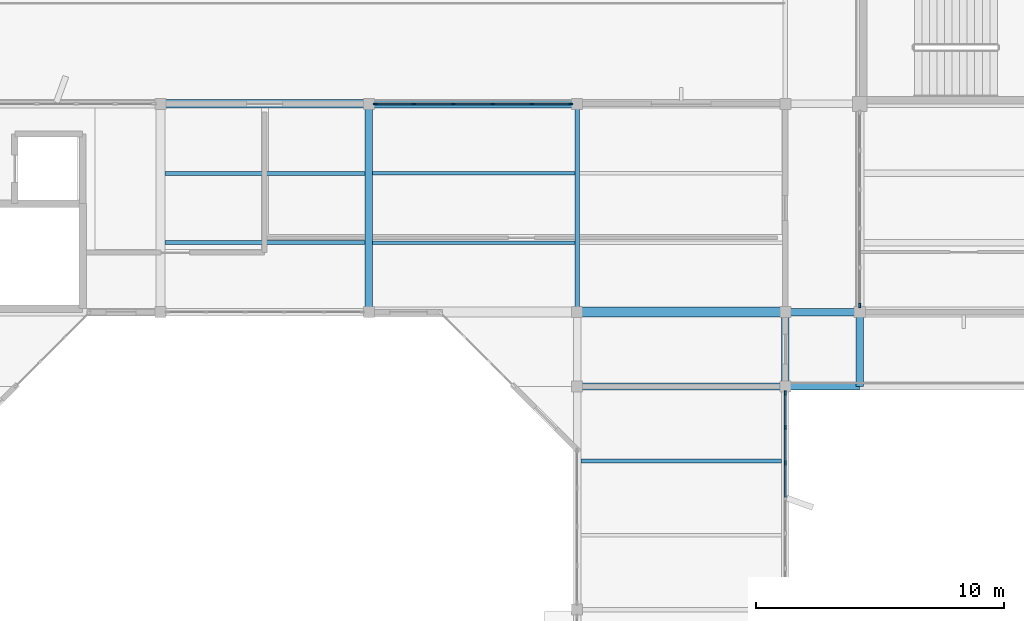
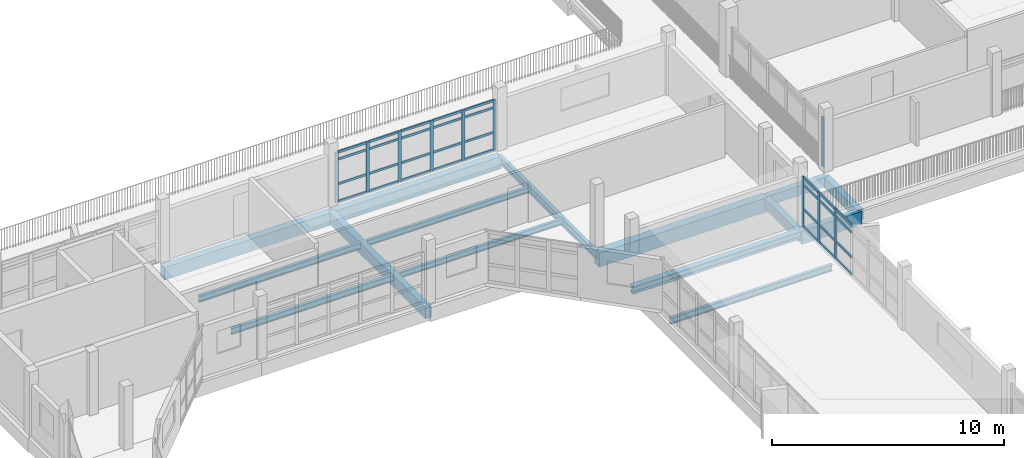
# One storey, part 9 of 33: 42 members, 15 beams, 3 elements without a shape of their own.
"""IFC4 building model written with IfcOpenShell, lengths in metres."""

from ifc_helpers import new_model, si_unit, direction, frame, origin, origin_2d, place, context, subcontext, project, spatial, rectangle, i_section, extrude, material, material_profile, profile_set, type_object, element, aggregate, save


model = new_model("IFC4")

# Units and contexts
model_context = context("Model", 3, precision=1e-05, world=origin(), true_north=direction((0.0, 1.0)))
body_context = subcontext(model_context, "Body", "Model", "MODEL_VIEW")
ifc_project = project(units=[si_unit("LENGTHUNIT", "METRE"), si_unit("AREAUNIT", "SQUARE_METRE"), si_unit("VOLUMEUNIT", "CUBIC_METRE"), si_unit("PLANEANGLEUNIT", "RADIAN"), si_unit("MASSUNIT", "GRAM", prefix="KILO")], contexts=[model_context])

# Site, building, storey
site_placement = place(None, origin())
site = spatial("IfcSite", under=ifc_project, at=site_placement, CompositionType="ELEMENT")
building_placement = place(site_placement, origin())
building = spatial("IfcBuilding", under=site, at=building_placement, Name="Vanh Quang Courtyard School", CompositionType="ELEMENT")
storey_placement = place(building_placement, frame((0.0, 0.0, 18.60009765625)))
storey = spatial("IfcBuildingStorey", under=building, at=storey_placement, Name="L05", CompositionType="ELEMENT", Elevation=18.60009765625)

# Beams
ifc_material_1 = material(Name="Concrete C35/45", Category="concrete")
ifc_material_profile_1 = material_profile(ifc_material_1, rectangle(XDim=0.300048828125, YDim=0.5, at=origin_2d()), Name="RC-BM 300x500")
ifc_profile_set_1 = profile_set([ifc_material_profile_1], Name="Concrete C35/45")
beam_type_1 = type_object("IfcBeamType", Name="BM-RC-300x500", PredefinedType="BEAM", material=ifc_profile_set_1)
beam_1_placement = place(storey_placement, frame((74.39990234375, 71.39990234375, -0.570068359375), z_axis=(1.0, 0.0, 0.0), x_axis=(0.0, 1.0, 0.0)))
element("IfcBeam", 1, at=beam_1_placement, inside=storey, type_object=beam_type_1, Name="Beam B-08 (L05)", PredefinedType="BEAM", context=body_context, shape_type="SweptSolid", body=[
    extrude(rectangle(XDim=0.300048828125, YDim=0.5, at=origin_2d()), origin(), (0.0, 0.0, 1.0), 3.0),
])
ifc_material_profile_2 = material_profile(ifc_material_1, rectangle(XDim=0.300048828125, YDim=0.550048828125, at=origin_2d()), Name="RC-BM 300x550")
ifc_profile_set_2 = profile_set([ifc_material_profile_2], Name="Concrete C35/45")
beam_type_2 = type_object("IfcBeamType", Name="BM-RC-300x550", PredefinedType="BEAM", material=ifc_profile_set_2)
for number, where, z_axis, x_axis, name in (
    (2, (74.39990234375, 68.39990234375, -0.59521484375), (0.0, 1.0, 0.0), (-1.0, 0.0, 0.0), "Beam B-07 (L05)"),
    (3, (77.39990234375, 68.39990234375, -0.59521484375), (0.0, 1.0, 0.0), (-1.0, 0.0, 0.0), "Beam B-07 (L05)"),
):
    element("IfcBeam", number, at=place(storey_placement, frame(where, z_axis=z_axis, x_axis=x_axis)), inside=storey, type_object=beam_type_2, Name=name, PredefinedType="BEAM", context=body_context, shape_type="SweptSolid", body=[
        extrude(rectangle(XDim=0.300048828125, YDim=0.550048828125, at=origin_2d()), origin(), (0.0, 0.0, 1.0), 3.0),
    ])
ifc_material_profile_3 = material_profile(ifc_material_1, rectangle(XDim=0.300048828125, YDim=0.60009765625, at=origin_2d()), Name="RC-BM 300x600")
ifc_profile_set_3 = profile_set([ifc_material_profile_3], Name="Concrete C35/45")
beam_type_3 = type_object("IfcBeamType", Name="BM-RC-300x600", PredefinedType="BEAM", material=ifc_profile_set_3)
beam_2_placement = place(storey_placement, frame((57.60009765625, 71.39990234375, -0.6201171875), z_axis=(0.0, 1.0, 0.0), x_axis=(-1.0, 0.0, 0.0)))
element("IfcBeam", 4, at=beam_2_placement, inside=storey, type_object=beam_type_3, Name="Beam B-06 (L05)", PredefinedType="BEAM", context=body_context, shape_type="SweptSolid", body=[
    extrude(rectangle(XDim=0.300048828125, YDim=0.60009765625, at=origin_2d()), origin(), (0.0, 0.0, 1.0), 8.400146484375),
])
ifc_material_profile_4 = material_profile(ifc_material_1, rectangle(XDim=0.35009765625, YDim=0.64990234375, at=origin_2d()), Name="RC-BM 350x650")
ifc_profile_set_4 = profile_set([ifc_material_profile_4], Name="Concrete C35/45")
beam_type_4 = type_object("IfcBeamType", Name="BM-RC-350x650", PredefinedType="BEAM", material=ifc_profile_set_4)
beam_3_placement = place(storey_placement, frame((49.199951171875, 79.800048828125, -0.64501953125), z_axis=(1.0, 0.0, 0.0), x_axis=(0.0, 1.0, 0.0)))
element("IfcBeam", 5, at=beam_3_placement, inside=storey, type_object=beam_type_4, Name="Beam B-05 (L05)", PredefinedType="BEAM", context=body_context, shape_type="SweptSolid", body=[
    extrude(rectangle(XDim=0.35009765625, YDim=0.64990234375, at=origin_2d()), origin(), (0.0, 0.0, 1.0), 8.400146484375),
])
beam_4_placement = place(storey_placement, frame((57.60009765625, 79.800048828125, -0.64501953125), z_axis=(1.0, 0.0, 0.0), x_axis=(0.0, 1.0, 0.0)))
element("IfcBeam", 6, at=beam_4_placement, inside=storey, type_object=beam_type_4, Name="Beam B-05 (L05)", PredefinedType="BEAM", context=body_context, shape_type="SweptSolid", body=[
    extrude(rectangle(XDim=0.35009765625, YDim=0.64990234375, at=origin_2d()), origin(), (0.0, 0.0, 1.0), 8.39990234375),
])
ifc_material_profile_5 = material_profile(ifc_material_1, rectangle(XDim=0.39990234375, YDim=0.75, at=origin_2d()), Name="RC-BM 400x750")
ifc_profile_set_5 = profile_set([ifc_material_profile_5], Name="Concrete C35/45")
beam_type_5 = type_object("IfcBeamType", Name="BM-RC-400x750", PredefinedType="BEAM", material=ifc_profile_set_5)
beam_5_placement = place(storey_placement, frame((66.0, 71.39990234375, -0.695068359375), z_axis=(1.0, 0.0, 0.0), x_axis=(0.0, 1.0, 0.0)))
element("IfcBeam", 7, at=beam_5_placement, inside=storey, type_object=beam_type_5, Name="Beam B-03 (L05)", PredefinedType="BEAM", context=body_context, shape_type="SweptSolid", body=[
    extrude(rectangle(XDim=0.39990234375, YDim=0.75, at=origin_2d()), origin(), (0.0, 0.0, 1.0), 8.39990234375),
])
ifc_material_profile_6 = material_profile(ifc_material_1, rectangle(XDim=0.300048828125, YDim=0.699951171875, at=origin_2d()), Name="RC-SP 300x700")
ifc_profile_set_6 = profile_set([ifc_material_profile_6], Name="Concrete C35/45")
beam_type_6 = type_object("IfcBeamType", Name="BM-SP-300x700", PredefinedType="SPANDREL", material=ifc_profile_set_6)
beam_6_placement = place(storey_placement, frame((74.39990234375, 68.39990234375, -0.670166015625), z_axis=(1.0, 0.0, 0.0), x_axis=(0.0, 1.0, 0.0)))
element("IfcBeam", 8, at=beam_6_placement, inside=storey, type_object=beam_type_6, Name="Beam BS-01 (L05)", PredefinedType="SPANDREL", context=body_context, shape_type="SweptSolid", body=[
    extrude(rectangle(XDim=0.300048828125, YDim=0.699951171875, at=origin_2d()), origin(), (0.0, 0.0, 1.0), 3.0),
])
ifc_material_2 = material(Name="Structural steel EN 10025-2 S355J2", Category="steel")
ifc_material_profile_7 = material_profile(ifc_material_2, i_section(OverallWidth=0.300048828125, OverallDepth=0.389892578125, WebThickness=0.010986328125, FlangeThickness=0.01904296875, FilletRadius=0.027099609375, at=origin_2d()), Name="HEA 400")
ifc_profile_set_7 = profile_set([ifc_material_profile_7], Name="Structural steel EN 10025-2 S355J2")
beam_type_7 = type_object("IfcBeamType", Name="BM-STL-HEA400", PredefinedType="BEAM", material=ifc_profile_set_7)
beam_7_placement = place(storey_placement, frame((66.0, 68.39990234375, -0.51513671875), z_axis=(1.0, 0.0, 0.0), x_axis=(0.0, 1.0, 0.0)))
element("IfcBeam", 9, at=beam_7_placement, inside=storey, type_object=beam_type_7, Name="Beam SB-08 (L05)", PredefinedType="BEAM", context=body_context, shape_type="SweptSolid", body=[
    extrude(i_section(OverallWidth=0.300048828125, OverallDepth=0.389892578125, WebThickness=0.010986328125, FlangeThickness=0.01904296875, FilletRadius=0.027099609375, at=origin_2d()), origin(), (0.0, 0.0, 1.0), 8.39990234375),
])
ifc_material_profile_8 = material_profile(ifc_material_2, i_section(OverallWidth=0.179931640625, OverallDepth=0.39990234375, WebThickness=0.008544921875, FlangeThickness=0.013427734375, FilletRadius=0.02099609375, at=origin_2d()), Name="IPE 400")
ifc_profile_set_8 = profile_set([ifc_material_profile_8], Name="Structural steel EN 10025-2 S355J2")
beam_type_8 = type_object("IfcBeamType", Name="BM-STL-IPE400", PredefinedType="BEAM", material=ifc_profile_set_8)
beam_8_placement = place(storey_placement, frame((66.0, 71.39990234375, -0.52001953125), z_axis=(0.0, 1.0, 0.0), x_axis=(-1.0, 0.0, 0.0)))
element("IfcBeam", 10, at=beam_8_placement, inside=storey, type_object=beam_type_8, Name="Beam SB-05 (L05)", PredefinedType="BEAM", context=body_context, shape_type="SweptSolid", body=[
    extrude(i_section(OverallWidth=0.179931640625, OverallDepth=0.39990234375, WebThickness=0.008544921875, FlangeThickness=0.013427734375, FilletRadius=0.02099609375, at=origin_2d()), origin(), (0.0, 0.0, 1.0), 8.400146484375),
])

# Curtain wall, members
ifc_material_3 = material(Name="Thermally broken aluminium unitised curtain wall", Category="aluminium")
curtain_wall_type_1 = type_object("IfcCurtainWallType", Name="CW-SYS-19", PredefinedType="NOTDEFINED", material=ifc_material_3)
curtain_wall_1_placement = place(storey_placement, origin())
curtain_wall_1 = element("IfcCurtainWall", 11, at=curtain_wall_1_placement, inside=storey, type_object=curtain_wall_type_1, Name="Curtain Wall CW-19 (L05)", PredefinedType="NOTDEFINED")
ifc_material_4 = material(Name="Anodised aluminium 6063-T6", Category="aluminium")
ifc_material_profile_9 = material_profile(ifc_material_4, rectangle(XDim=0.06005859375, YDim=0.159912109375, at=origin_2d()), Name="ALU-MUL 60x160")
ifc_profile_set_9 = profile_set([ifc_material_profile_9], Name="Anodised aluminium 6063-T6")
member_type_1 = type_object("IfcMemberType", Name="CW-MUL-60x160", PredefinedType="MULLION", material=ifc_profile_set_9)
member_1_placement = place(storey_placement, frame((57.863037109375, 79.800048828125, 0.0), z_axis=(0.0, 0.0, 1.0), x_axis=(0.0, 1.0, 0.0)))
member_1 = element("IfcMember", 12, at=member_1_placement, type_object=member_type_1, Name="CW-19 mullion 1", PredefinedType="MULLION", context=body_context, shape_type="SweptSolid", body=[
    extrude(rectangle(XDim=0.06005859375, YDim=0.159912109375, at=origin_2d()), origin(), (0.0, 0.0, 1.0), 2.64990234375),
])
member_2_placement = place(storey_placement, frame((59.419921875, 79.800048828125, 0.0), z_axis=(0.0, 0.0, 1.0), x_axis=(0.0, 1.0, 0.0)))
member_2 = element("IfcMember", 13, at=member_2_placement, type_object=member_type_1, Name="CW-19 mullion 2", PredefinedType="MULLION", context=body_context, shape_type="SweptSolid", body=[
    extrude(rectangle(XDim=0.06005859375, YDim=0.159912109375, at=origin_2d()), origin(), (0.0, 0.0, 1.0), 2.64990234375),
])
member_3_placement = place(storey_placement, frame((61.006591796875, 79.800048828125, 0.0), z_axis=(0.0, 0.0, 1.0), x_axis=(0.0, 1.0, 0.0)))
member_3 = element("IfcMember", 14, at=member_3_placement, type_object=member_type_1, Name="CW-19 mullion 3", PredefinedType="MULLION", context=body_context, shape_type="SweptSolid", body=[
    extrude(rectangle(XDim=0.06005859375, YDim=0.159912109375, at=origin_2d()), origin(), (0.0, 0.0, 1.0), 2.64990234375),
])
member_4_placement = place(storey_placement, frame((62.593505859375, 79.800048828125, 0.0), z_axis=(0.0, 0.0, 1.0), x_axis=(0.0, 1.0, 0.0)))
member_4 = element("IfcMember", 15, at=member_4_placement, type_object=member_type_1, Name="CW-19 mullion 4", PredefinedType="MULLION", context=body_context, shape_type="SweptSolid", body=[
    extrude(rectangle(XDim=0.06005859375, YDim=0.159912109375, at=origin_2d()), origin(), (0.0, 0.0, 1.0), 2.64990234375),
])
member_5_placement = place(storey_placement, frame((64.18017578125, 79.800048828125, 0.0), z_axis=(0.0, 0.0, 1.0), x_axis=(0.0, 1.0, 0.0)))
member_5 = element("IfcMember", 16, at=member_5_placement, type_object=member_type_1, Name="CW-19 mullion 5", PredefinedType="MULLION", context=body_context, shape_type="SweptSolid", body=[
    extrude(rectangle(XDim=0.06005859375, YDim=0.159912109375, at=origin_2d()), origin(), (0.0, 0.0, 1.0), 2.64990234375),
])
member_6_placement = place(storey_placement, frame((65.737060546875, 79.800048828125, 0.0), z_axis=(0.0, 0.0, 1.0), x_axis=(0.0, 1.0, 0.0)))
member_6 = element("IfcMember", 17, at=member_6_placement, type_object=member_type_1, Name="CW-19 mullion 6", PredefinedType="MULLION", context=body_context, shape_type="SweptSolid", body=[
    extrude(rectangle(XDim=0.06005859375, YDim=0.159912109375, at=origin_2d()), origin(), (0.0, 0.0, 1.0), 2.64990234375),
])

curtain_wall_type_2 = type_object("IfcCurtainWallType", Name="CW-SYS-50", PredefinedType="NOTDEFINED", material=ifc_material_3)
curtain_wall_2_placement = place(storey_placement, origin())
curtain_wall_2 = element("IfcCurtainWall", 18, at=curtain_wall_2_placement, inside=storey, type_object=curtain_wall_type_2, Name="Curtain Wall CW-50 (L05)", PredefinedType="NOTDEFINED")
ifc_material_profile_10 = material_profile(ifc_material_4, rectangle(XDim=0.070068359375, YDim=0.179931640625, at=origin_2d()), Name="ALU-MUL 70x180")
ifc_profile_set_10 = profile_set([ifc_material_profile_10], Name="Anodised aluminium 6063-T6")
member_type_2 = type_object("IfcMemberType", Name="CW-MUL-70x180", PredefinedType="MULLION", material=ifc_profile_set_10)
member_7_placement = place(storey_placement, frame((74.39990234375, 68.132080078125, 0.0), z_axis=(0.0, 0.0, 1.0), x_axis=(1.0, 0.0, 0.0)))
member_7 = element("IfcMember", 19, at=member_7_placement, type_object=member_type_2, Name="CW-50 mullion 1", PredefinedType="MULLION", context=body_context, shape_type="SweptSolid", body=[
    extrude(rectangle(XDim=0.070068359375, YDim=0.179931640625, at=origin_2d()), origin(), (0.0, 0.0, 1.0), 2.64990234375),
])
member_8_placement = place(storey_placement, frame((74.39990234375, 66.74462890625, 0.0), z_axis=(0.0, 0.0, 1.0), x_axis=(1.0, 0.0, 0.0)))
member_8 = element("IfcMember", 20, at=member_8_placement, type_object=member_type_2, Name="CW-50 mullion 2", PredefinedType="MULLION", context=body_context, shape_type="SweptSolid", body=[
    extrude(rectangle(XDim=0.070068359375, YDim=0.179931640625, at=origin_2d()), origin(), (0.0, 0.0, 1.0), 2.64990234375),
])
member_9_placement = place(storey_placement, frame((74.39990234375, 65.322265625, 0.0), z_axis=(0.0, 0.0, 1.0), x_axis=(1.0, 0.0, 0.0)))
member_9 = element("IfcMember", 21, at=member_9_placement, type_object=member_type_2, Name="CW-50 mullion 3", PredefinedType="MULLION", context=body_context, shape_type="SweptSolid", body=[
    extrude(rectangle(XDim=0.070068359375, YDim=0.179931640625, at=origin_2d()), origin(), (0.0, 0.0, 1.0), 2.64990234375),
])

# Curtain wall, member
curtain_wall_3_placement = place(storey_placement, origin())
curtain_wall_3 = element("IfcCurtainWall", 22, at=curtain_wall_3_placement, inside=storey, type_object=curtain_wall_type_1, Name="Curtain Wall CW-19 (L05)", PredefinedType="NOTDEFINED")
member_10_placement = place(storey_placement, frame((77.39990234375, 71.66796875, 0.0), z_axis=(0.0, 0.0, 1.0), x_axis=(-1.0, 0.0, 0.0)))
member_10 = element("IfcMember", 23, at=member_10_placement, type_object=member_type_2, Name="CW-19 mullion 1", PredefinedType="MULLION", context=body_context, shape_type="SweptSolid", body=[
    extrude(rectangle(XDim=0.070068359375, YDim=0.179931640625, at=origin_2d()), origin(), (0.0, 0.0, 1.0), 2.579833984375),
])
aggregate(curtain_wall_3, [member_10])

# Member
ifc_material_profile_11 = material_profile(ifc_material_4, rectangle(XDim=0.06005859375, YDim=0.1201171875, at=origin_2d()), Name="ALU-TRN 60x120")
ifc_profile_set_11 = profile_set([ifc_material_profile_11], Name="Anodised aluminium 6063-T6")
member_type_3 = type_object("IfcMemberType", Name="CW-TRN-60x120", PredefinedType="USERDEFINED", material=ifc_profile_set_11)
member_11_placement = place(storey_placement, frame((57.89306640625, 79.800048828125, 0.02978515625), z_axis=(1.0, 0.0, 0.0), x_axis=(0.0, 1.0, 0.0)))
member_11 = element("IfcMember", 24, at=member_11_placement, type_object=member_type_3, Name="CW-19 transom 1.1", ObjectType="TRANSOM", PredefinedType="USERDEFINED", context=body_context, shape_type="SweptSolid", body=[
    extrude(rectangle(XDim=0.06005859375, YDim=0.1201171875, at=origin_2d()), origin(), (0.0, 0.0, 1.0), 1.496826171875),
])

member_12_placement = place(storey_placement, frame((57.89306640625, 79.800048828125, 0.949951171875), z_axis=(1.0, 0.0, 0.0), x_axis=(0.0, 1.0, 0.0)))
member_12 = element("IfcMember", 25, at=member_12_placement, type_object=member_type_3, Name="CW-19 transom 1.2", ObjectType="TRANSOM", PredefinedType="USERDEFINED", context=body_context, shape_type="SweptSolid", body=[
    extrude(rectangle(XDim=0.06005859375, YDim=0.1201171875, at=origin_2d()), origin(), (0.0, 0.0, 1.0), 1.496826171875),
])

member_13_placement = place(storey_placement, frame((57.89306640625, 79.800048828125, 2.25), z_axis=(1.0, 0.0, 0.0), x_axis=(0.0, 1.0, 0.0)))
member_13 = element("IfcMember", 26, at=member_13_placement, type_object=member_type_3, Name="CW-19 transom 1.3", ObjectType="TRANSOM", PredefinedType="USERDEFINED", context=body_context, shape_type="SweptSolid", body=[
    extrude(rectangle(XDim=0.06005859375, YDim=0.1201171875, at=origin_2d()), origin(), (0.0, 0.0, 1.0), 1.496826171875),
])

member_14_placement = place(storey_placement, frame((57.89306640625, 79.800048828125, 2.619873046875), z_axis=(1.0, 0.0, 0.0), x_axis=(0.0, 1.0, 0.0)))
member_14 = element("IfcMember", 27, at=member_14_placement, type_object=member_type_3, Name="CW-19 transom 1.4", ObjectType="TRANSOM", PredefinedType="USERDEFINED", context=body_context, shape_type="SweptSolid", body=[
    extrude(rectangle(XDim=0.06005859375, YDim=0.1201171875, at=origin_2d()), origin(), (0.0, 0.0, 1.0), 1.496826171875),
])

member_15_placement = place(storey_placement, frame((59.44970703125, 79.800048828125, 0.02978515625), z_axis=(1.0, 0.0, 0.0), x_axis=(0.0, 1.0, 0.0)))
member_15 = element("IfcMember", 28, at=member_15_placement, type_object=member_type_3, Name="CW-19 transom 2.1", ObjectType="TRANSOM", PredefinedType="USERDEFINED", context=body_context, shape_type="SweptSolid", body=[
    extrude(rectangle(XDim=0.06005859375, YDim=0.1201171875, at=origin_2d()), origin(), (0.0, 0.0, 1.0), 1.52685546875),
])

member_16_placement = place(storey_placement, frame((59.44970703125, 79.800048828125, 0.949951171875), z_axis=(1.0, 0.0, 0.0), x_axis=(0.0, 1.0, 0.0)))
member_16 = element("IfcMember", 29, at=member_16_placement, type_object=member_type_3, Name="CW-19 transom 2.2", ObjectType="TRANSOM", PredefinedType="USERDEFINED", context=body_context, shape_type="SweptSolid", body=[
    extrude(rectangle(XDim=0.06005859375, YDim=0.1201171875, at=origin_2d()), origin(), (0.0, 0.0, 1.0), 1.52685546875),
])

member_17_placement = place(storey_placement, frame((59.44970703125, 79.800048828125, 2.25), z_axis=(1.0, 0.0, 0.0), x_axis=(0.0, 1.0, 0.0)))
member_17 = element("IfcMember", 30, at=member_17_placement, type_object=member_type_3, Name="CW-19 transom 2.3", ObjectType="TRANSOM", PredefinedType="USERDEFINED", context=body_context, shape_type="SweptSolid", body=[
    extrude(rectangle(XDim=0.06005859375, YDim=0.1201171875, at=origin_2d()), origin(), (0.0, 0.0, 1.0), 1.52685546875),
])

member_18_placement = place(storey_placement, frame((59.44970703125, 79.800048828125, 2.619873046875), z_axis=(1.0, 0.0, 0.0), x_axis=(0.0, 1.0, 0.0)))
member_18 = element("IfcMember", 31, at=member_18_placement, type_object=member_type_3, Name="CW-19 transom 2.4", ObjectType="TRANSOM", PredefinedType="USERDEFINED", context=body_context, shape_type="SweptSolid", body=[
    extrude(rectangle(XDim=0.06005859375, YDim=0.1201171875, at=origin_2d()), origin(), (0.0, 0.0, 1.0), 1.52685546875),
])

member_19_placement = place(storey_placement, frame((61.03662109375, 79.800048828125, 0.02978515625), z_axis=(1.0, 0.0, 0.0), x_axis=(0.0, 1.0, 0.0)))
member_19 = element("IfcMember", 32, at=member_19_placement, type_object=member_type_3, Name="CW-19 transom 3.1", ObjectType="TRANSOM", PredefinedType="USERDEFINED", context=body_context, shape_type="SweptSolid", body=[
    extrude(rectangle(XDim=0.06005859375, YDim=0.1201171875, at=origin_2d()), origin(), (0.0, 0.0, 1.0), 1.52685546875),
])

member_20_placement = place(storey_placement, frame((61.03662109375, 79.800048828125, 0.949951171875), z_axis=(1.0, 0.0, 0.0), x_axis=(0.0, 1.0, 0.0)))
member_20 = element("IfcMember", 33, at=member_20_placement, type_object=member_type_3, Name="CW-19 transom 3.2", ObjectType="TRANSOM", PredefinedType="USERDEFINED", context=body_context, shape_type="SweptSolid", body=[
    extrude(rectangle(XDim=0.06005859375, YDim=0.1201171875, at=origin_2d()), origin(), (0.0, 0.0, 1.0), 1.52685546875),
])

member_21_placement = place(storey_placement, frame((61.03662109375, 79.800048828125, 2.25), z_axis=(1.0, 0.0, 0.0), x_axis=(0.0, 1.0, 0.0)))
member_21 = element("IfcMember", 34, at=member_21_placement, type_object=member_type_3, Name="CW-19 transom 3.3", ObjectType="TRANSOM", PredefinedType="USERDEFINED", context=body_context, shape_type="SweptSolid", body=[
    extrude(rectangle(XDim=0.06005859375, YDim=0.1201171875, at=origin_2d()), origin(), (0.0, 0.0, 1.0), 1.52685546875),
])

member_22_placement = place(storey_placement, frame((61.03662109375, 79.800048828125, 2.619873046875), z_axis=(1.0, 0.0, 0.0), x_axis=(0.0, 1.0, 0.0)))
member_22 = element("IfcMember", 35, at=member_22_placement, type_object=member_type_3, Name="CW-19 transom 3.4", ObjectType="TRANSOM", PredefinedType="USERDEFINED", context=body_context, shape_type="SweptSolid", body=[
    extrude(rectangle(XDim=0.06005859375, YDim=0.1201171875, at=origin_2d()), origin(), (0.0, 0.0, 1.0), 1.52685546875),
])

member_23_placement = place(storey_placement, frame((62.623291015625, 79.800048828125, 0.02978515625), z_axis=(1.0, 0.0, 0.0), x_axis=(0.0, 1.0, 0.0)))
member_23 = element("IfcMember", 36, at=member_23_placement, type_object=member_type_3, Name="CW-19 transom 4.1", ObjectType="TRANSOM", PredefinedType="USERDEFINED", context=body_context, shape_type="SweptSolid", body=[
    extrude(rectangle(XDim=0.06005859375, YDim=0.1201171875, at=origin_2d()), origin(), (0.0, 0.0, 1.0), 1.52685546875),
])

member_24_placement = place(storey_placement, frame((62.623291015625, 79.800048828125, 0.949951171875), z_axis=(1.0, 0.0, 0.0), x_axis=(0.0, 1.0, 0.0)))
member_24 = element("IfcMember", 37, at=member_24_placement, type_object=member_type_3, Name="CW-19 transom 4.2", ObjectType="TRANSOM", PredefinedType="USERDEFINED", context=body_context, shape_type="SweptSolid", body=[
    extrude(rectangle(XDim=0.06005859375, YDim=0.1201171875, at=origin_2d()), origin(), (0.0, 0.0, 1.0), 1.52685546875),
])

member_25_placement = place(storey_placement, frame((62.623291015625, 79.800048828125, 2.25), z_axis=(1.0, 0.0, 0.0), x_axis=(0.0, 1.0, 0.0)))
member_25 = element("IfcMember", 38, at=member_25_placement, type_object=member_type_3, Name="CW-19 transom 4.3", ObjectType="TRANSOM", PredefinedType="USERDEFINED", context=body_context, shape_type="SweptSolid", body=[
    extrude(rectangle(XDim=0.06005859375, YDim=0.1201171875, at=origin_2d()), origin(), (0.0, 0.0, 1.0), 1.52685546875),
])

member_26_placement = place(storey_placement, frame((62.623291015625, 79.800048828125, 2.619873046875), z_axis=(1.0, 0.0, 0.0), x_axis=(0.0, 1.0, 0.0)))
member_26 = element("IfcMember", 39, at=member_26_placement, type_object=member_type_3, Name="CW-19 transom 4.4", ObjectType="TRANSOM", PredefinedType="USERDEFINED", context=body_context, shape_type="SweptSolid", body=[
    extrude(rectangle(XDim=0.06005859375, YDim=0.1201171875, at=origin_2d()), origin(), (0.0, 0.0, 1.0), 1.52685546875),
])

member_27_placement = place(storey_placement, frame((64.210205078125, 79.800048828125, 0.02978515625), z_axis=(1.0, 0.0, 0.0), x_axis=(0.0, 1.0, 0.0)))
member_27 = element("IfcMember", 40, at=member_27_placement, type_object=member_type_3, Name="CW-19 transom 5.1", ObjectType="TRANSOM", PredefinedType="USERDEFINED", context=body_context, shape_type="SweptSolid", body=[
    extrude(rectangle(XDim=0.06005859375, YDim=0.1201171875, at=origin_2d()), origin(), (0.0, 0.0, 1.0), 1.496826171875),
])

member_28_placement = place(storey_placement, frame((64.210205078125, 79.800048828125, 0.949951171875), z_axis=(1.0, 0.0, 0.0), x_axis=(0.0, 1.0, 0.0)))
member_28 = element("IfcMember", 41, at=member_28_placement, type_object=member_type_3, Name="CW-19 transom 5.2", ObjectType="TRANSOM", PredefinedType="USERDEFINED", context=body_context, shape_type="SweptSolid", body=[
    extrude(rectangle(XDim=0.06005859375, YDim=0.1201171875, at=origin_2d()), origin(), (0.0, 0.0, 1.0), 1.496826171875),
])

member_29_placement = place(storey_placement, frame((64.210205078125, 79.800048828125, 2.25), z_axis=(1.0, 0.0, 0.0), x_axis=(0.0, 1.0, 0.0)))
member_29 = element("IfcMember", 42, at=member_29_placement, type_object=member_type_3, Name="CW-19 transom 5.3", ObjectType="TRANSOM", PredefinedType="USERDEFINED", context=body_context, shape_type="SweptSolid", body=[
    extrude(rectangle(XDim=0.06005859375, YDim=0.1201171875, at=origin_2d()), origin(), (0.0, 0.0, 1.0), 1.496826171875),
])

member_30_placement = place(storey_placement, frame((64.210205078125, 79.800048828125, 2.619873046875), z_axis=(1.0, 0.0, 0.0), x_axis=(0.0, 1.0, 0.0)))
member_30 = element("IfcMember", 43, at=member_30_placement, type_object=member_type_3, Name="CW-19 transom 5.4", ObjectType="TRANSOM", PredefinedType="USERDEFINED", context=body_context, shape_type="SweptSolid", body=[
    extrude(rectangle(XDim=0.06005859375, YDim=0.1201171875, at=origin_2d()), origin(), (0.0, 0.0, 1.0), 1.496826171875),
])

aggregate(curtain_wall_1, [member_1, member_2, member_3, member_4, member_5, member_6, member_11, member_12, member_13, member_14, member_15, member_16, member_17, member_18, member_19, member_20, member_21, member_22, member_23, member_24, member_25, member_26, member_27, member_28, member_29, member_30])

ifc_material_profile_12 = material_profile(ifc_material_4, rectangle(XDim=0.070068359375, YDim=0.139892578125, at=origin_2d()), Name="ALU-TRN 70x140")
ifc_profile_set_12 = profile_set([ifc_material_profile_12], Name="Anodised aluminium 6063-T6")
member_type_4 = type_object("IfcMemberType", Name="CW-TRN-70x140", PredefinedType="USERDEFINED", material=ifc_profile_set_12)
member_31_placement = place(storey_placement, frame((74.39990234375, 68.096923828125, 0.034912109375), z_axis=(0.0, -1.0, 0.0), x_axis=(1.0, 0.0, 0.0)))
member_31 = element("IfcMember", 44, at=member_31_placement, type_object=member_type_4, Name="CW-50 transom 1.1", ObjectType="TRANSOM", PredefinedType="USERDEFINED", context=body_context, shape_type="SweptSolid", body=[
    extrude(rectangle(XDim=0.070068359375, YDim=0.139892578125, at=origin_2d()), origin(), (0.0, 0.0, 1.0), 1.317138671875),
])

member_32_placement = place(storey_placement, frame((74.39990234375, 68.096923828125, 0.949951171875), z_axis=(0.0, -1.0, 0.0), x_axis=(1.0, 0.0, 0.0)))
member_32 = element("IfcMember", 45, at=member_32_placement, type_object=member_type_4, Name="CW-50 transom 1.2", ObjectType="TRANSOM", PredefinedType="USERDEFINED", context=body_context, shape_type="SweptSolid", body=[
    extrude(rectangle(XDim=0.070068359375, YDim=0.139892578125, at=origin_2d()), origin(), (0.0, 0.0, 1.0), 1.317138671875),
])

member_33_placement = place(storey_placement, frame((74.39990234375, 68.096923828125, 2.25), z_axis=(0.0, -1.0, 0.0), x_axis=(1.0, 0.0, 0.0)))
member_33 = element("IfcMember", 46, at=member_33_placement, type_object=member_type_4, Name="CW-50 transom 1.3", ObjectType="TRANSOM", PredefinedType="USERDEFINED", context=body_context, shape_type="SweptSolid", body=[
    extrude(rectangle(XDim=0.070068359375, YDim=0.139892578125, at=origin_2d()), origin(), (0.0, 0.0, 1.0), 1.317138671875),
])

member_34_placement = place(storey_placement, frame((74.39990234375, 68.096923828125, 2.614990234375), z_axis=(0.0, -1.0, 0.0), x_axis=(1.0, 0.0, 0.0)))
member_34 = element("IfcMember", 47, at=member_34_placement, type_object=member_type_4, Name="CW-50 transom 1.4", ObjectType="TRANSOM", PredefinedType="USERDEFINED", context=body_context, shape_type="SweptSolid", body=[
    extrude(rectangle(XDim=0.070068359375, YDim=0.139892578125, at=origin_2d()), origin(), (0.0, 0.0, 1.0), 1.317138671875),
])

member_35_placement = place(storey_placement, frame((74.39990234375, 66.709716796875, 0.034912109375), z_axis=(0.0, -1.0, 0.0), x_axis=(1.0, 0.0, 0.0)))
member_35 = element("IfcMember", 48, at=member_35_placement, type_object=member_type_4, Name="CW-50 transom 2.1", ObjectType="TRANSOM", PredefinedType="USERDEFINED", context=body_context, shape_type="SweptSolid", body=[
    extrude(rectangle(XDim=0.070068359375, YDim=0.139892578125, at=origin_2d()), origin(), (0.0, 0.0, 1.0), 1.352294921875),
])

member_36_placement = place(storey_placement, frame((74.39990234375, 66.709716796875, 0.949951171875), z_axis=(0.0, -1.0, 0.0), x_axis=(1.0, 0.0, 0.0)))
member_36 = element("IfcMember", 49, at=member_36_placement, type_object=member_type_4, Name="CW-50 transom 2.2", ObjectType="TRANSOM", PredefinedType="USERDEFINED", context=body_context, shape_type="SweptSolid", body=[
    extrude(rectangle(XDim=0.070068359375, YDim=0.139892578125, at=origin_2d()), origin(), (0.0, 0.0, 1.0), 1.352294921875),
])

member_37_placement = place(storey_placement, frame((74.39990234375, 66.709716796875, 2.25), z_axis=(0.0, -1.0, 0.0), x_axis=(1.0, 0.0, 0.0)))
member_37 = element("IfcMember", 50, at=member_37_placement, type_object=member_type_4, Name="CW-50 transom 2.3", ObjectType="TRANSOM", PredefinedType="USERDEFINED", context=body_context, shape_type="SweptSolid", body=[
    extrude(rectangle(XDim=0.070068359375, YDim=0.139892578125, at=origin_2d()), origin(), (0.0, 0.0, 1.0), 1.352294921875),
])

member_38_placement = place(storey_placement, frame((74.39990234375, 66.709716796875, 2.614990234375), z_axis=(0.0, -1.0, 0.0), x_axis=(1.0, 0.0, 0.0)))
member_38 = element("IfcMember", 51, at=member_38_placement, type_object=member_type_4, Name="CW-50 transom 2.4", ObjectType="TRANSOM", PredefinedType="USERDEFINED", context=body_context, shape_type="SweptSolid", body=[
    extrude(rectangle(XDim=0.070068359375, YDim=0.139892578125, at=origin_2d()), origin(), (0.0, 0.0, 1.0), 1.352294921875),
])

member_39_placement = place(storey_placement, frame((74.39990234375, 65.287353515625, 0.034912109375), z_axis=(0.0, -1.0, 0.0), x_axis=(1.0, 0.0, 0.0)))
member_39 = element("IfcMember", 52, at=member_39_placement, type_object=member_type_4, Name="CW-50 transom 3.1", ObjectType="TRANSOM", PredefinedType="USERDEFINED", context=body_context, shape_type="SweptSolid", body=[
    extrude(rectangle(XDim=0.070068359375, YDim=0.139892578125, at=origin_2d()), origin(), (0.0, 0.0, 1.0), 1.352294921875),
])

member_40_placement = place(storey_placement, frame((74.39990234375, 65.287353515625, 0.949951171875), z_axis=(0.0, -1.0, 0.0), x_axis=(1.0, 0.0, 0.0)))
member_40 = element("IfcMember", 53, at=member_40_placement, type_object=member_type_4, Name="CW-50 transom 3.2", ObjectType="TRANSOM", PredefinedType="USERDEFINED", context=body_context, shape_type="SweptSolid", body=[
    extrude(rectangle(XDim=0.070068359375, YDim=0.139892578125, at=origin_2d()), origin(), (0.0, 0.0, 1.0), 1.352294921875),
])

member_41_placement = place(storey_placement, frame((74.39990234375, 65.287353515625, 2.25), z_axis=(0.0, -1.0, 0.0), x_axis=(1.0, 0.0, 0.0)))
member_41 = element("IfcMember", 54, at=member_41_placement, type_object=member_type_4, Name="CW-50 transom 3.3", ObjectType="TRANSOM", PredefinedType="USERDEFINED", context=body_context, shape_type="SweptSolid", body=[
    extrude(rectangle(XDim=0.070068359375, YDim=0.139892578125, at=origin_2d()), origin(), (0.0, 0.0, 1.0), 1.352294921875),
])

member_42_placement = place(storey_placement, frame((74.39990234375, 65.287353515625, 2.614990234375), z_axis=(0.0, -1.0, 0.0), x_axis=(1.0, 0.0, 0.0)))
member_42 = element("IfcMember", 55, at=member_42_placement, type_object=member_type_4, Name="CW-50 transom 3.4", ObjectType="TRANSOM", PredefinedType="USERDEFINED", context=body_context, shape_type="SweptSolid", body=[
    extrude(rectangle(XDim=0.070068359375, YDim=0.139892578125, at=origin_2d()), origin(), (0.0, 0.0, 1.0), 1.352294921875),
])

aggregate(curtain_wall_2, [member_7, member_8, member_9, member_31, member_32, member_33, member_34, member_35, member_36, member_37, member_38, member_39, member_40, member_41, member_42])

# Beams
ifc_material_profile_13 = material_profile(ifc_material_2, i_section(OverallWidth=0.14990234375, OverallDepth=0.300048828125, WebThickness=0.007080078125, FlangeThickness=0.0107421875, FilletRadius=0.014892578125, at=origin_2d()), Name="IPE 300")
ifc_profile_set_13 = profile_set([ifc_material_profile_13], Name="Structural steel EN 10025-2 S355J2")
beam_type_9 = type_object("IfcBeamType", Name="JST-STL-IPE300", PredefinedType="JOIST", material=ifc_profile_set_13)
for number, where, z_axis, x_axis, name in (
    (56, (57.75, 74.199951171875, -0.400146484375), (1.0, 0.0, 0.0), (0.0, 1.0, 0.0), "Beam SJ-02 (L05)"),
    (57, (57.75, 77.0, -0.400146484375), (1.0, 0.0, 0.0), (0.0, 1.0, 0.0), "Beam SJ-02 (L05)"),
):
    element("IfcBeam", number, at=place(storey_placement, frame(where, z_axis=z_axis, x_axis=x_axis)), inside=storey, type_object=beam_type_9, Name=name, PredefinedType="JOIST", context=body_context, shape_type="SweptSolid", body=[
        extrude(i_section(OverallWidth=0.14990234375, OverallDepth=0.300048828125, WebThickness=0.007080078125, FlangeThickness=0.0107421875, FilletRadius=0.014892578125, at=origin_2d()), origin(), (0.0, 0.0, 1.0), 8.159912109375),
    ])
ifc_material_profile_14 = material_profile(ifc_material_2, i_section(OverallWidth=0.159912109375, OverallDepth=0.330078125, WebThickness=0.007568359375, FlangeThickness=0.011474609375, FilletRadius=0.01806640625, at=origin_2d()), Name="IPE 330")
ifc_profile_set_14 = profile_set([ifc_material_profile_14], Name="Structural steel EN 10025-2 S355J2")
beam_type_10 = type_object("IfcBeamType", Name="JST-STL-IPE330", PredefinedType="JOIST", material=ifc_profile_set_14)
for number, where, z_axis, x_axis, name in (
    (58, (49.375, 74.199951171875, -0.4150390625), (1.0, 0.0, 0.0), (0.0, 1.0, 0.0), "Beam SJ-01 (L05)"),
    (59, (49.375, 77.0, -0.4150390625), (1.0, 0.0, 0.0), (0.0, 1.0, 0.0), "Beam SJ-01 (L05)"),
):
    element("IfcBeam", number, at=place(storey_placement, frame(where, z_axis=z_axis, x_axis=x_axis)), inside=storey, type_object=beam_type_10, Name=name, PredefinedType="JOIST", context=body_context, shape_type="SweptSolid", body=[
        extrude(i_section(OverallWidth=0.159912109375, OverallDepth=0.330078125, WebThickness=0.007568359375, FlangeThickness=0.011474609375, FilletRadius=0.01806640625, at=origin_2d()), origin(), (0.0, 0.0, 1.0), 8.074951171875),
    ])
beam_9_placement = place(storey_placement, frame((66.14990234375, 65.39990234375, -0.4150390625), z_axis=(1.0, 0.0, 0.0), x_axis=(0.0, 1.0, 0.0)))
element("IfcBeam", 60, at=beam_9_placement, inside=storey, type_object=beam_type_10, Name="Beam SJ-01 (L05)", PredefinedType="JOIST", context=body_context, shape_type="SweptSolid", body=[
    extrude(i_section(OverallWidth=0.159912109375, OverallDepth=0.330078125, WebThickness=0.007568359375, FlangeThickness=0.011474609375, FilletRadius=0.01806640625, at=origin_2d()), origin(), (0.0, 0.0, 1.0), 8.10009765625),
])

save(model, "model.ifc")
